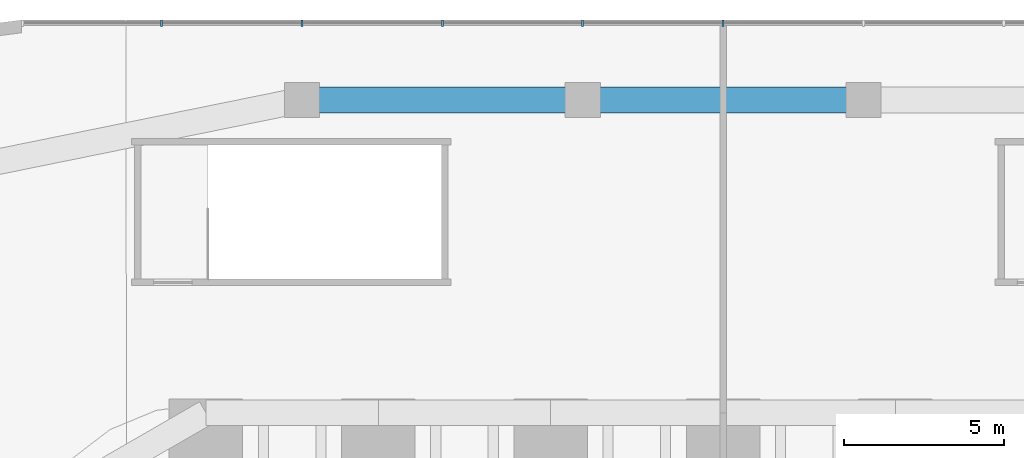
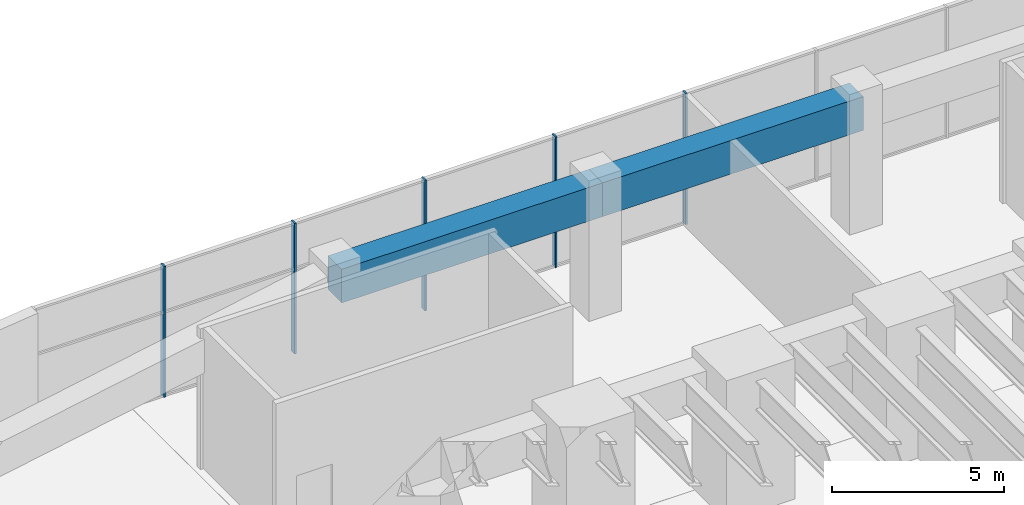
# One storey, part 18 of 31: 5 members, 2 beams, 1 element without a shape of its own.
"""IFC4 building model written with IfcOpenShell, lengths in metres."""

from ifc_helpers import new_model, si_unit, direction, frame, origin, origin_2d, place, context, subcontext, project, spatial, rectangle, extrude, material, material_profile, profile_set, type_object, element, aggregate, save


model = new_model("IFC4")

# Units and contexts
model_context = context("Model", 3, precision=1e-05, world=origin(), true_north=direction((0.0, 1.0)))
body_context = subcontext(model_context, "Body", "Model", "MODEL_VIEW")
ifc_project = project(units=[si_unit("LENGTHUNIT", "METRE"), si_unit("AREAUNIT", "SQUARE_METRE"), si_unit("VOLUMEUNIT", "CUBIC_METRE"), si_unit("PLANEANGLEUNIT", "RADIAN"), si_unit("MASSUNIT", "GRAM", prefix="KILO")], contexts=[model_context])

# Site, building, storey
site_placement = place(None, origin())
site = spatial("IfcSite", under=ifc_project, at=site_placement, CompositionType="ELEMENT")
building_placement = place(site_placement, origin())
building = spatial("IfcBuilding", under=site, at=building_placement, Name="Tarfa Lantern Tower", CompositionType="ELEMENT")
storey_placement = place(building_placement, frame((0.0, 0.0, 18.5)))
storey = spatial("IfcBuildingStorey", under=building, at=storey_placement, Name="L03", CompositionType="ELEMENT", Elevation=18.5)

# Curtain wall, members
ifc_material_1 = material(Name="Aluminium framed curtain wall", Category="aluminium")
curtain_wall_type = type_object("IfcCurtainWallType", Name="CW7 PODIUM GLAZING 4650", PredefinedType="USERDEFINED", material=ifc_material_1)
curtain_wall_placement = place(storey_placement, origin())
curtain_wall = element("IfcCurtainWall", 1, at=curtain_wall_placement, inside=storey, type_object=curtain_wall_type, Name="CW7 N L03", ObjectType="CURTAIN WALL", PredefinedType="USERDEFINED")
ifc_material_2 = material(Name="Aluminium mullion", Category="aluminium")
ifc_material_profile_1 = material_profile(ifc_material_2, rectangle(XDim=0.06494140625, YDim=0.199951171875, at=origin_2d()), Name="AL MULLION 65x200")
ifc_profile_set_1 = profile_set([ifc_material_profile_1], Name="Aluminium mullion")
member_type = type_object("IfcMemberType", Name="CWM1 MULLION 65x200", PredefinedType="MULLION", material=ifc_profile_set_1)
member_1_placement = place(storey_placement, frame((0.0, 45.89990234375, 0.0), z_axis=(0.0, 0.0, 1.0), x_axis=(1.0, 0.0, 0.0)))
member_1 = element("IfcMember", 2, at=member_1_placement, type_object=member_type, Name="CW7 mullion 6", PredefinedType="MULLION", context=body_context, shape_type="SweptSolid", body=[
    extrude(rectangle(XDim=0.06494140625, YDim=0.199951171875, at=origin_2d()), origin(), (0.0, 0.0, 1.0), 4.64990234375),
])
member_2_placement = place(storey_placement, frame((-4.387939453125, 45.89990234375, 0.0), z_axis=(0.0, 0.0, 1.0), x_axis=(1.0, 0.0, 0.0)))
member_2 = element("IfcMember", 3, at=member_2_placement, type_object=member_type, Name="CW7 mullion 7", PredefinedType="MULLION", context=body_context, shape_type="SweptSolid", body=[
    extrude(rectangle(XDim=0.06494140625, YDim=0.199951171875, at=origin_2d()), origin(), (0.0, 0.0, 1.0), 4.64990234375),
])
member_3_placement = place(storey_placement, frame((-8.775634765625, 45.89990234375, 0.0), z_axis=(0.0, 0.0, 1.0), x_axis=(1.0, 0.0, 0.0)))
member_3 = element("IfcMember", 4, at=member_3_placement, type_object=member_type, Name="CW7 mullion 8", PredefinedType="MULLION", context=body_context, shape_type="SweptSolid", body=[
    extrude(rectangle(XDim=0.06494140625, YDim=0.199951171875, at=origin_2d()), origin(), (0.0, 0.0, 1.0), 4.64990234375),
])
member_4_placement = place(storey_placement, frame((-13.16357421875, 45.89990234375, 0.0), z_axis=(0.0, 0.0, 1.0), x_axis=(1.0, 0.0, 0.0)))
member_4 = element("IfcMember", 5, at=member_4_placement, type_object=member_type, Name="CW7 mullion 9", PredefinedType="MULLION", context=body_context, shape_type="SweptSolid", body=[
    extrude(rectangle(XDim=0.06494140625, YDim=0.199951171875, at=origin_2d()), origin(), (0.0, 0.0, 1.0), 4.64990234375),
])
member_5_placement = place(storey_placement, frame((-17.551513671875, 45.89990234375, 0.0), z_axis=(0.0, 0.0, 1.0), x_axis=(1.0, 0.0, 0.0)))
member_5 = element("IfcMember", 6, at=member_5_placement, type_object=member_type, Name="CW7 mullion 10", PredefinedType="MULLION", context=body_context, shape_type="SweptSolid", body=[
    extrude(rectangle(XDim=0.06494140625, YDim=0.199951171875, at=origin_2d()), origin(), (0.0, 0.0, 1.0), 4.64990234375),
])
aggregate(curtain_wall, [member_1, member_2, member_3, member_4, member_5])

# Beams
ifc_material_3 = material(Name="Concrete C80/95", Category="concrete")
ifc_material_profile_2 = material_profile(ifc_material_3, rectangle(XDim=0.800048828125, YDim=1.199951171875, at=origin_2d()), Name="RC 800x1200")
ifc_profile_set_2 = profile_set([ifc_material_profile_2], Name="Concrete C80/95")
beam_type = type_object("IfcBeamType", Name="PB2 RC 800x1200", PredefinedType="BEAM", material=ifc_profile_set_2)
beam_1_placement = place(storey_placement, frame((4.387939453125, 43.5, 4.050048828125), z_axis=(-1.0, 0.0, 0.0), x_axis=(0.0, -1.0, 0.0)))
element("IfcBeam", 7, at=beam_1_placement, inside=storey, type_object=beam_type, Name="Podium ring beam N2", PredefinedType="BEAM", context=body_context, shape_type="SweptSolid", body=[
    extrude(rectangle(XDim=0.800048828125, YDim=1.199951171875, at=origin_2d()), origin(), (0.0, 0.0, 1.0), 8.77587890625),
])
beam_2_placement = place(storey_placement, frame((-4.387939453125, 43.5, 4.050048828125), z_axis=(-1.0, 0.0, 0.0), x_axis=(0.0, -1.0, 0.0)))
element("IfcBeam", 8, at=beam_2_placement, inside=storey, type_object=beam_type, Name="Podium ring beam N3", PredefinedType="BEAM", context=body_context, shape_type="SweptSolid", body=[
    extrude(rectangle(XDim=0.800048828125, YDim=1.199951171875, at=origin_2d()), origin(), (0.0, 0.0, 1.0), 8.775634765625),
])

save(model, "model.ifc")
